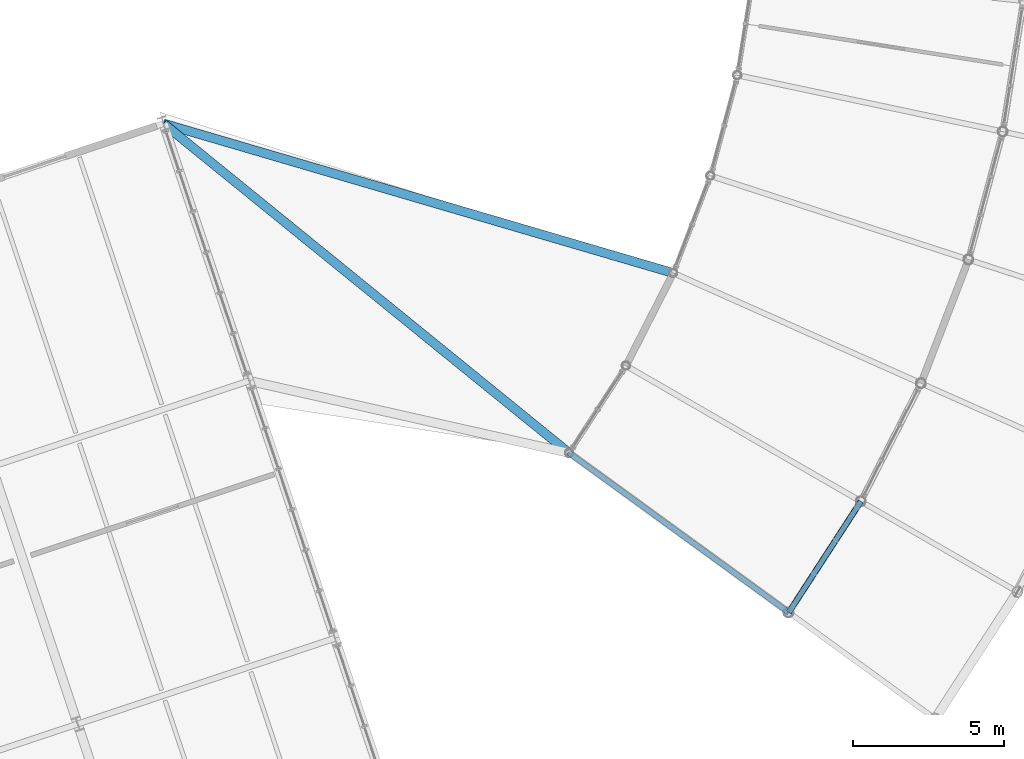
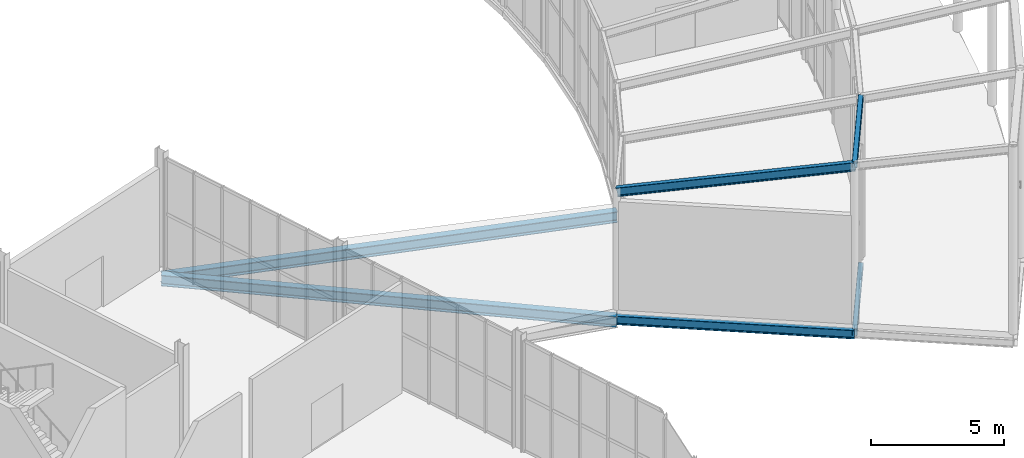
# One storey, part 86 of 158: 6 beams.
"""IFC4 building model written with IfcOpenShell, lengths in metres."""

from ifc_helpers import new_model, si_unit, derived_unit, direction, frame, origin, origin_2d, place, context, subcontext, project, spatial, hollow_rectangle, i_section, extrude, material, material_profile, profile_set, type_object, element, save


model = new_model("IFC4")

# Units and contexts
model_context = context("Model", 3, precision=1e-05, world=origin(), true_north=direction((0.0, 1.0)))
body_context = subcontext(model_context, "Body", "Model", "MODEL_VIEW")
ifc_project = project(units=[si_unit("LENGTHUNIT", "METRE"), si_unit("AREAUNIT", "SQUARE_METRE"), si_unit("VOLUMEUNIT", "CUBIC_METRE"), si_unit("PLANEANGLEUNIT", "RADIAN"), si_unit("MASSUNIT", "GRAM", prefix="KILO"), si_unit("THERMODYNAMICTEMPERATUREUNIT", "KELVIN"), si_unit("TIMEUNIT", "SECOND"), derived_unit("THERMALTRANSMITTANCEUNIT", [(si_unit("MASSUNIT", "GRAM", prefix="KILO"), 1), (si_unit("THERMODYNAMICTEMPERATUREUNIT", "KELVIN"), -1), (si_unit("TIMEUNIT", "SECOND"), -3)])], contexts=[model_context])

# Site, building, storey
site_placement = place(None, origin())
site = spatial("IfcSite", under=ifc_project, at=site_placement, CompositionType="ELEMENT")
building_placement = place(site_placement, origin())
building = spatial("IfcBuilding", under=site, at=building_placement, Name="Cambertide Market Hall", CompositionType="ELEMENT")
storey_placement = place(building_placement, origin())
storey = spatial("IfcBuildingStorey", under=building, at=storey_placement, Name="L01", CompositionType="ELEMENT", Elevation=0.0)

# Beams
ifc_material_1 = material(Name="Steel S355", Category="steel")
ifc_material_profile_1 = material_profile(ifc_material_1, i_section(OverallWidth=0.300048828125, OverallDepth=0.5, WebThickness=0.014404296875, FlangeThickness=0.028076171875, FilletRadius=0.027099609375, at=origin_2d()), Name="HEB 500")
ifc_profile_set_1 = profile_set([ifc_material_profile_1], Name="Steel S355")
beam_type_1 = type_object("IfcBeamType", Name="Exterior Steel Girder HEB 500", PredefinedType="BEAM", material=ifc_profile_set_1)
beam_1_placement = place(storey_placement, frame((157.22900390625, 57.536865234375, -0.544921875), z_axis=(0.776376952681, -0.630268853225, 0.0), x_axis=(0.630268853225, 0.776376952681, 0.0)))
element("IfcBeam", 1, at=beam_1_placement, inside=storey, type_object=beam_type_1, Name="Level 1 Beam TIE-V3V5-1", PredefinedType="BEAM", context=body_context, shape_type="SweptSolid", body=[
    extrude(i_section(OverallWidth=0.300048828125, OverallDepth=0.5, WebThickness=0.014404296875, FlangeThickness=0.028076171875, FilletRadius=0.027099609375, at=origin_2d()), origin(), (0.0, 0.0, 1.0), 17.347900390625),
])
beam_2_placement = place(storey_placement, frame((157.22900390625, 57.536865234375, -0.544921875), z_axis=(0.959620681194, -0.28129725954, 0.0), x_axis=(0.28129725954, 0.959620681194, 0.0)))
element("IfcBeam", 2, at=beam_2_placement, inside=storey, type_object=beam_type_1, Name="Level 1 Beam TIE-V3V5-3", PredefinedType="BEAM", context=body_context, shape_type="SweptSolid", body=[
    extrude(i_section(OverallWidth=0.300048828125, OverallDepth=0.5, WebThickness=0.014404296875, FlangeThickness=0.028076171875, FilletRadius=0.027099609375, at=origin_2d()), origin(), (0.0, 0.0, 1.0), 17.6298828125),
])
ifc_material_2 = material(Name="Steel S355", Category="steel")
ifc_material_profile_2 = material_profile(ifc_material_2, i_section(OverallWidth=0.179931640625, OverallDepth=0.39990234375, WebThickness=0.008544921875, FlangeThickness=0.013427734375, FilletRadius=0.02099609375, at=origin_2d()), Name="IPE 400")
ifc_profile_set_2 = profile_set([ifc_material_profile_2], Name="Steel S355")
beam_type_2 = type_object("IfcBeamType", Name="Exterior Steel Girder IPE 400", PredefinedType="BEAM", material=ifc_profile_set_2)
beam_3_placement = place(storey_placement, frame((170.697509765625, 46.60302734375, 5.3798828125), z_axis=(0.792798144262, -0.575990819135, 0.199262838298), x_axis=(0.587778073121, 0.809022210299, 0.0)))
element("IfcBeam", 3, at=beam_3_placement, inside=storey, type_object=beam_type_2, Name="BM-V5R1-CAN-1", PredefinedType="BEAM", context=body_context, shape_type="SweptSolid", body=[
    extrude(i_section(OverallWidth=0.179931640625, OverallDepth=0.39990234375, WebThickness=0.008544921875, FlangeThickness=0.013427734375, FilletRadius=0.02099609375, at=origin_2d()), origin(), (0.0, 0.0, 1.0), 9.184326171875),
])
ifc_material_3 = material(Name="Steel S355", Category="steel")
ifc_material_profile_3 = material_profile(ifc_material_3, hollow_rectangle(XDim=0.199951171875, YDim=0.300048828125, WallThickness=0.010009765625, InnerFilletRadius=0.010009765625, OuterFilletRadius=0.02001953125, at=origin_2d()), Name="RHS 300x200x10")
ifc_profile_set_3 = profile_set([ifc_material_profile_3], Name="Steel S355")
beam_type_3 = type_object("IfcBeamType", Name="Exterior Steel Girder RHS 300x200x10", PredefinedType="BEAM", material=ifc_profile_set_3)
beam_4_placement = place(storey_placement, frame((177.978759765625, 41.31298828125, 7.260009765625), z_axis=(0.54462522792, 0.838679534216, 0.0), x_axis=(-0.838679534216, 0.54462522792, 0.0)))
element("IfcBeam", 4, at=beam_4_placement, inside=storey, type_object=beam_type_3, Name="Level 1 Beam BM-V5C-CAN-MID-1", PredefinedType="BEAM", context=body_context, shape_type="SweptSolid", body=[
    extrude(hollow_rectangle(XDim=0.199951171875, YDim=0.300048828125, WallThickness=0.010009765625, InnerFilletRadius=0.010009765625, OuterFilletRadius=0.02001953125, at=origin_2d()), origin(), (0.0, 0.0, 1.0), 4.396240234375),
])
ifc_material_4 = material(Name="Steel S355", Category="steel")
ifc_material_profile_4 = material_profile(ifc_material_4, i_section(OverallWidth=0.179931640625, OverallDepth=0.39990234375, WebThickness=0.008544921875, FlangeThickness=0.013427734375, FilletRadius=0.02099609375, at=origin_2d()), Name="IPE 400")
ifc_profile_set_4 = profile_set([ifc_material_profile_4], Name="Steel S355")
beam_type_4 = type_object("IfcBeamType", Name="Steel Girder IPE 400", PredefinedType="BEAM", material=ifc_profile_set_4)
beam_5_placement = place(storey_placement, frame((170.697509765625, 46.60302734375, -0.5), z_axis=(0.809022210299, -0.587778073121, 0.0), x_axis=(0.587778073121, 0.809022210299, 0.0)))
element("IfcBeam", 5, at=beam_5_placement, inside=storey, type_object=beam_type_4, Name="Level 1 Beam BM-V5R1-FLR-1", PredefinedType="BEAM", context=body_context, shape_type="SweptSolid", body=[
    extrude(i_section(OverallWidth=0.179931640625, OverallDepth=0.39990234375, WebThickness=0.008544921875, FlangeThickness=0.013427734375, FilletRadius=0.02099609375, at=origin_2d()), origin(), (0.0, 0.0, 1.0), 9.0),
])
ifc_material_5 = material(Name="Steel S355", Category="steel")
ifc_material_profile_5 = material_profile(ifc_material_5, hollow_rectangle(XDim=0.199951171875, YDim=0.300048828125, WallThickness=0.010009765625, InnerFilletRadius=0.010009765625, OuterFilletRadius=0.02001953125, at=origin_2d()), Name="RHS 300x200x10")
ifc_profile_set_5 = profile_set([ifc_material_profile_5], Name="Steel S355")
beam_type_5 = type_object("IfcBeamType", Name="Steel Girder RHS 300x200x10", PredefinedType="BEAM", material=ifc_profile_set_5)
beam_6_placement = place(storey_placement, frame((177.978759765625, 41.31298828125, -0.449951171875), z_axis=(0.54462522792, 0.838679534216, 0.0), x_axis=(-0.838679534216, 0.54462522792, 0.0)))
element("IfcBeam", 6, at=beam_6_placement, inside=storey, type_object=beam_type_5, Name="Level 1 Beam BM-V5C-FLR-MID-1", PredefinedType="BEAM", context=body_context, shape_type="SweptSolid", body=[
    extrude(hollow_rectangle(XDim=0.199951171875, YDim=0.300048828125, WallThickness=0.010009765625, InnerFilletRadius=0.010009765625, OuterFilletRadius=0.02001953125, at=origin_2d()), origin(), (0.0, 0.0, 1.0), 4.396240234375),
])

save(model, "model.ifc")
